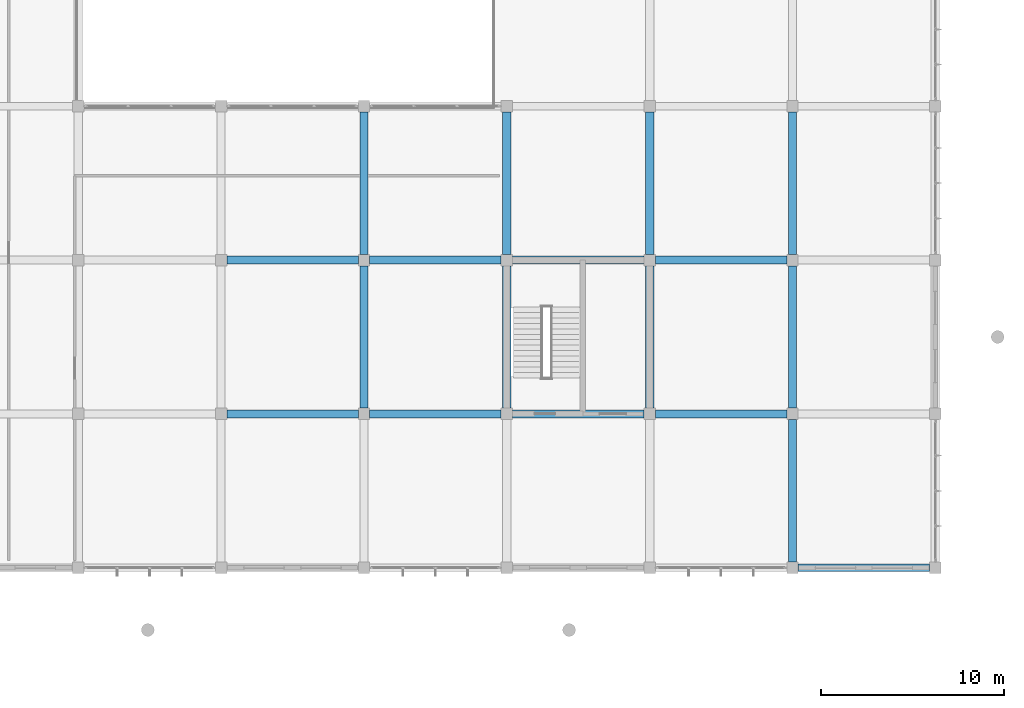
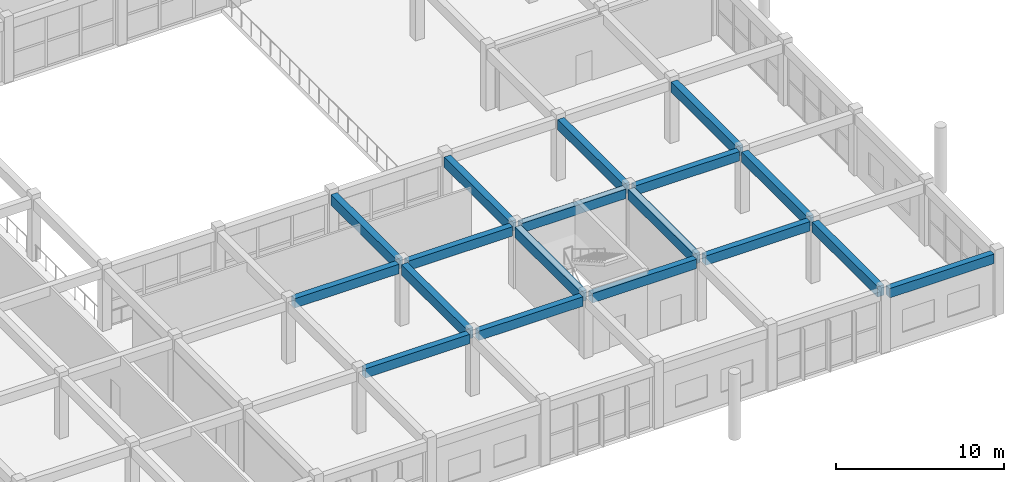
# One storey, part 91 of 167: 18 beams.
"""IFC4 building model written with IfcOpenShell, lengths in metres."""

from ifc_helpers import new_model, si_unit, direction, frame, origin, origin_2d, place, context, subcontext, project, spatial, rectangle, extrude, material, material_profile, profile_set, type_object, element, save


model = new_model("IFC4")

# Units and contexts
model_context = context("Model", 3, precision=1e-05, world=origin(), true_north=direction((0.0, 1.0)))
body_context = subcontext(model_context, "Body", "Model", "MODEL_VIEW")
ifc_project = project(units=[si_unit("LENGTHUNIT", "METRE"), si_unit("AREAUNIT", "SQUARE_METRE"), si_unit("VOLUMEUNIT", "CUBIC_METRE"), si_unit("PLANEANGLEUNIT", "RADIAN"), si_unit("MASSUNIT", "GRAM", prefix="KILO")], contexts=[model_context])

# Site, building, storey
site_placement = place(None, origin())
site = spatial("IfcSite", under=ifc_project, at=site_placement, CompositionType="ELEMENT")
building_placement = place(site_placement, origin())
building = spatial("IfcBuilding", under=site, at=building_placement, Name="Zizhar Promenade General Hospital", CompositionType="ELEMENT")
storey_placement = place(building_placement, frame((0.0, 0.0, 9.60009765625)))
storey = spatial("IfcBuildingStorey", under=building, at=storey_placement, Name="L02", CompositionType="ELEMENT", Elevation=9.60009765625)

# Beams
ifc_material_1 = material(Name="Concrete C35/45", Category="concrete")
ifc_material_profile_1 = material_profile(ifc_material_1, rectangle(XDim=0.419921875, YDim=0.679931640625, at=origin_2d()))
ifc_profile_set_1 = profile_set([ifc_material_profile_1], Name="Concrete C35/45")
beam_type_1 = type_object("IfcBeamType", Name="BM-RC-420x680", PredefinedType="JOIST", material=ifc_profile_set_1)
for number, where, z_axis, x_axis, name in (
    (1, (156.31005859375, 50.39990234375, 4.1298828125), (1.0, 0.0, 0.0), (0.0, 1.0, 0.0), "Grid Beam X L02 (20-6)"),
    (2, (156.31005859375, 58.800048828125, 4.1298828125), (1.0, 0.0, 0.0), (0.0, 1.0, 0.0), "Grid Beam X L02 (20-7)"),
    (3, (164.110107421875, 50.39990234375, 4.1298828125), (1.0, 0.0, 0.0), (0.0, 1.0, 0.0), "Grid Beam X L02 (21-6)"),
    (4, (164.110107421875, 58.800048828125, 4.1298828125), (1.0, 0.0, 0.0), (0.0, 1.0, 0.0), "Grid Beam X L02 (21-7)"),
):
    element("IfcBeam", number, at=place(storey_placement, frame(where, z_axis=z_axis, x_axis=x_axis)), inside=storey, type_object=beam_type_1, Name=name, PredefinedType="JOIST", context=body_context, shape_type="SweptSolid", body=[
        extrude(rectangle(XDim=0.419921875, YDim=0.679931640625, at=origin_2d()), origin(), (0.0, 0.0, 1.0), 7.179931640625),
    ])
for number, where, z_axis, x_axis, name in (
    (5, (171.909912109375, 50.39990234375, 4.1298828125), (1.0, 0.0, 0.0), (0.0, 1.0, 0.0), "Grid Beam X L02 (22-6)"),
    (6, (171.909912109375, 58.800048828125, 4.1298828125), (1.0, 0.0, 0.0), (0.0, 1.0, 0.0), "Grid Beam X L02 (22-7)"),
):
    element("IfcBeam", number, at=place(storey_placement, frame(where, z_axis=z_axis, x_axis=x_axis)), inside=storey, type_object=beam_type_1, Name=name, PredefinedType="JOIST", context=body_context, shape_type="SweptSolid", body=[
        extrude(rectangle(XDim=0.419921875, YDim=0.679931640625, at=origin_2d()), origin(), (0.0, 0.0, 1.0), 7.18017578125),
    ])
for number, where, z_axis, x_axis, name in (
    (7, (179.7099609375, 50.39990234375, 4.1298828125), (1.0, 0.0, 0.0), (0.0, 1.0, 0.0), "Grid Beam X L02 (23-6)"),
    (8, (179.7099609375, 58.800048828125, 4.1298828125), (1.0, 0.0, 0.0), (0.0, 1.0, 0.0), "Grid Beam X L02 (23-7)"),
    (9, (187.510009765625, 42.0, 4.1298828125), (1.0, 0.0, 0.0), (0.0, 1.0, 0.0), "Grid Beam X L02 (24-5)"),
):
    element("IfcBeam", number, at=place(storey_placement, frame(where, z_axis=z_axis, x_axis=x_axis)), inside=storey, type_object=beam_type_1, Name=name, PredefinedType="JOIST", context=body_context, shape_type="SweptSolid", body=[
        extrude(rectangle(XDim=0.419921875, YDim=0.679931640625, at=origin_2d()), origin(), (0.0, 0.0, 1.0), 7.179931640625),
    ])
ifc_material_2 = material(Name="Concrete C35/45", Category="concrete")
ifc_material_profile_2 = material_profile(ifc_material_2, rectangle(XDim=0.449951171875, YDim=0.75, at=origin_2d()))
ifc_profile_set_2 = profile_set([ifc_material_profile_2], Name="Concrete C35/45")
beam_type_2 = type_object("IfcBeamType", Name="BM-RC-450x750", PredefinedType="BEAM", material=ifc_profile_set_2)
beam_1_placement = place(storey_placement, frame((163.800048828125, 50.7099609375, 4.094970703125), z_axis=(0.0, 1.0, 0.0), x_axis=(-1.0, 0.0, 0.0)))
element("IfcBeam", 10, at=beam_1_placement, inside=storey, type_object=beam_type_2, Name="Grid Beam Y L02 (21-6)", PredefinedType="BEAM", context=body_context, shape_type="SweptSolid", body=[
    extrude(rectangle(XDim=0.449951171875, YDim=0.75, at=origin_2d()), origin(), (0.0, 0.0, 1.0), 7.780029296875),
])
beam_2_placement = place(storey_placement, frame((163.800048828125, 59.110107421875, 4.094970703125), z_axis=(0.0, 1.0, 0.0), x_axis=(-1.0, 0.0, 0.0)))
element("IfcBeam", 11, at=beam_2_placement, inside=storey, type_object=beam_type_2, Name="Grid Beam Y L02 (21-7)", PredefinedType="BEAM", context=body_context, shape_type="SweptSolid", body=[
    extrude(rectangle(XDim=0.449951171875, YDim=0.75, at=origin_2d()), origin(), (0.0, 0.0, 1.0), 7.77978515625),
])
beam_3_placement = place(storey_placement, frame((171.60009765625, 50.7099609375, 4.094970703125), z_axis=(0.0, 1.0, 0.0), x_axis=(-1.0, 0.0, 0.0)))
element("IfcBeam", 12, at=beam_3_placement, inside=storey, type_object=beam_type_2, Name="Grid Beam Y L02 (22-6)", PredefinedType="BEAM", context=body_context, shape_type="SweptSolid", body=[
    extrude(rectangle(XDim=0.449951171875, YDim=0.75, at=origin_2d()), origin(), (0.0, 0.0, 1.0), 7.780029296875),
])
beam_4_placement = place(storey_placement, frame((171.60009765625, 59.110107421875, 4.094970703125), z_axis=(0.0, 1.0, 0.0), x_axis=(-1.0, 0.0, 0.0)))
element("IfcBeam", 13, at=beam_4_placement, inside=storey, type_object=beam_type_2, Name="Grid Beam Y L02 (22-7)", PredefinedType="BEAM", context=body_context, shape_type="SweptSolid", body=[
    extrude(rectangle(XDim=0.449951171875, YDim=0.75, at=origin_2d()), origin(), (0.0, 0.0, 1.0), 7.77978515625),
])
beam_5_placement = place(storey_placement, frame((179.39990234375, 50.7099609375, 4.094970703125), z_axis=(0.0, 1.0, 0.0), x_axis=(-1.0, 0.0, 0.0)))
element("IfcBeam", 14, at=beam_5_placement, inside=storey, type_object=beam_type_2, Name="Grid Beam Y L02 (23-6)", PredefinedType="BEAM", context=body_context, shape_type="SweptSolid", body=[
    extrude(rectangle(XDim=0.449951171875, YDim=0.75, at=origin_2d()), origin(), (0.0, 0.0, 1.0), 7.780029296875),
])
beam_6_placement = place(storey_placement, frame((179.39990234375, 59.110107421875, 4.094970703125), z_axis=(0.0, 1.0, 0.0), x_axis=(-1.0, 0.0, 0.0)))
element("IfcBeam", 15, at=beam_6_placement, inside=storey, type_object=beam_type_2, Name="Grid Beam Y L02 (23-7)", PredefinedType="BEAM", context=body_context, shape_type="SweptSolid", body=[
    extrude(rectangle(XDim=0.449951171875, YDim=0.75, at=origin_2d()), origin(), (0.0, 0.0, 1.0), 7.77978515625),
])
for number, where, z_axis, x_axis, name in (
    (16, (187.199951171875, 42.31005859375, 4.094970703125), (0.0, 1.0, 0.0), (-1.0, 0.0, 0.0), "Grid Beam Y L02 (24-5)"),
    (17, (187.199951171875, 50.7099609375, 4.094970703125), (0.0, 1.0, 0.0), (-1.0, 0.0, 0.0), "Grid Beam Y L02 (24-6)"),
):
    element("IfcBeam", number, at=place(storey_placement, frame(where, z_axis=z_axis, x_axis=x_axis)), inside=storey, type_object=beam_type_2, Name=name, PredefinedType="BEAM", context=body_context, shape_type="SweptSolid", body=[
        extrude(rectangle(XDim=0.449951171875, YDim=0.75, at=origin_2d()), origin(), (0.0, 0.0, 1.0), 7.780029296875),
    ])
beam_7_placement = place(storey_placement, frame((187.199951171875, 59.110107421875, 4.094970703125), z_axis=(0.0, 1.0, 0.0), x_axis=(-1.0, 0.0, 0.0)))
element("IfcBeam", 18, at=beam_7_placement, inside=storey, type_object=beam_type_2, Name="Grid Beam Y L02 (24-7)", PredefinedType="BEAM", context=body_context, shape_type="SweptSolid", body=[
    extrude(rectangle(XDim=0.449951171875, YDim=0.75, at=origin_2d()), origin(), (0.0, 0.0, 1.0), 7.77978515625),
])

save(model, "model.ifc")
